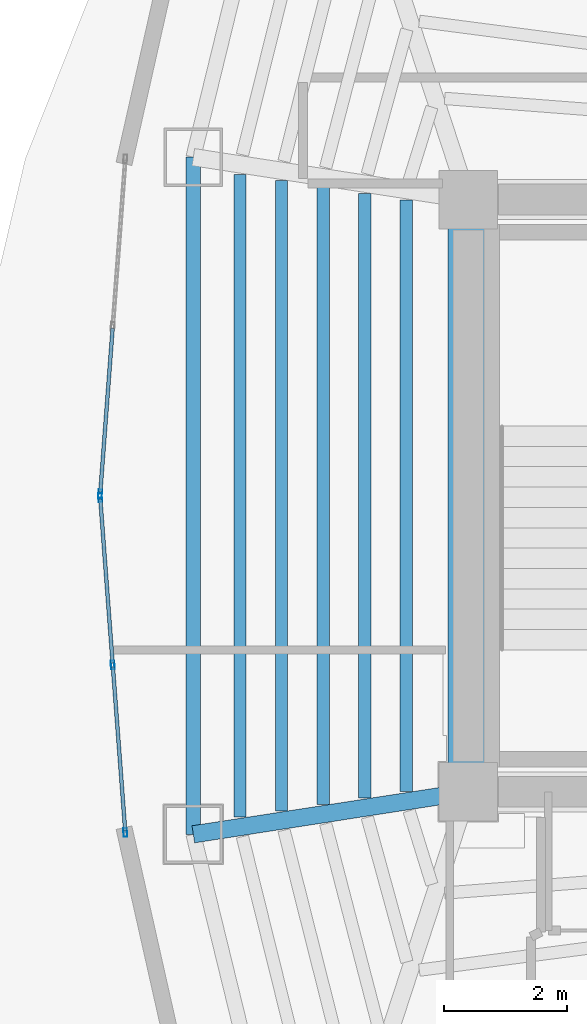
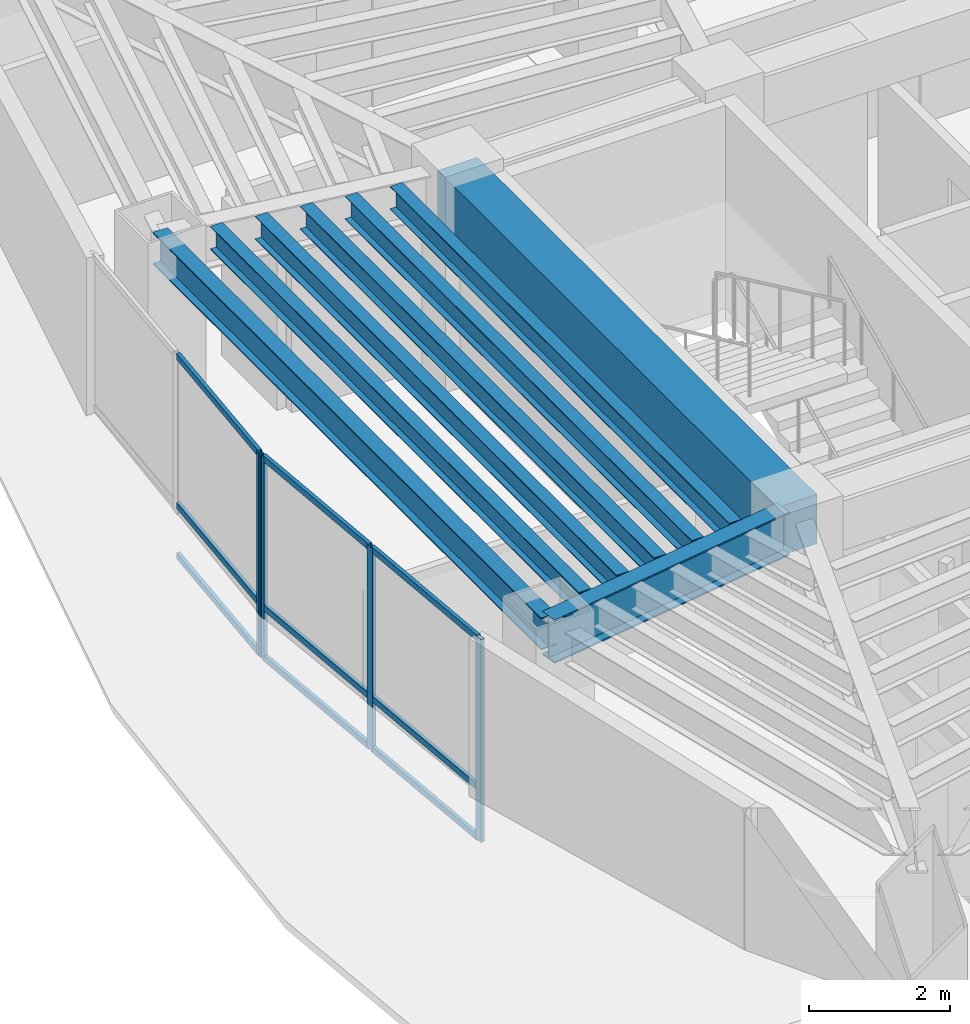
# One storey, part 3 of 15: 13 members, 8 beams, 2 elements without a shape of their own.
"""IFC4 building model written with IfcOpenShell, lengths in metres."""

from ifc_helpers import new_model, si_unit, direction, frame, origin, origin_2d, place, context, subcontext, project, spatial, rectangle, hollow_rectangle, i_section, extrude, material, layer, layer_set, material_profile, profile_set, type_object, element, aggregate, save


model = new_model("IFC4")

# Units and contexts
model_context = context("Model", 3, precision=1e-05, world=origin(), true_north=direction((0.0, 1.0)))
body_context = subcontext(model_context, "Body", "Model", "MODEL_VIEW")
ifc_project = project(units=[si_unit("LENGTHUNIT", "METRE"), si_unit("AREAUNIT", "SQUARE_METRE"), si_unit("VOLUMEUNIT", "CUBIC_METRE"), si_unit("PLANEANGLEUNIT", "RADIAN"), si_unit("MASSUNIT", "GRAM", prefix="KILO")], contexts=[model_context])

# Site, building, storey
site_placement = place(None, origin())
site = spatial("IfcSite", under=ifc_project, at=site_placement, CompositionType="ELEMENT")
building_placement = place(site_placement, origin())
building = spatial("IfcBuilding", under=site, at=building_placement, Name="Menara Vayukalpa", CompositionType="ELEMENT")
storey_placement = place(building_placement, frame((0.0, 0.0, 184.080078125)))
storey = spatial("IfcBuildingStorey", under=building, at=storey_placement, Name="L46", CompositionType="ELEMENT", Elevation=184.080078125)

# Beams
ifc_material_1 = material(Name="Concrete C60/75", Category="concrete")
ifc_material_profile_1 = material_profile(ifc_material_1, rectangle(XDim=0.64990234375, YDim=0.85009765625, at=origin_2d()), Name="RC 650x850")
ifc_profile_set_1 = profile_set([ifc_material_profile_1], Name="Concrete C60/75")
beam_type_1 = type_object("IfcBeamType", Name="BM-CB1", PredefinedType="BEAM", material=ifc_profile_set_1)
beam_1_placement = place(storey_placement, frame((17.800048828125, 17.199951171875, 3.074951171875), z_axis=(0.0, 1.0, 0.0), x_axis=(-1.0, 0.0, 0.0)))
element("IfcBeam", 1, at=beam_1_placement, inside=storey, type_object=beam_type_1, Name="L46 Core Tie Beam CBR7", PredefinedType="BEAM", context=body_context, shape_type="SweptSolid", body=[
    extrude(rectangle(XDim=0.64990234375, YDim=0.85009765625, at=origin_2d()), origin(), (0.0, 0.0, 1.0), 9.60009765625),
])
ifc_material_2 = material(Name="Steel S355", Category="steel")
ifc_material_profile_2 = material_profile(ifc_material_2, i_section(OverallWidth=0.280029296875, OverallDepth=0.75, WebThickness=0.013916015625, FlangeThickness=0.02490234375, at=origin_2d()), Name="WF 750x280x14x25")
ifc_profile_set_2 = profile_set([ifc_material_profile_2], Name="Steel S355")
beam_type_2 = type_object("IfcBeamType", Name="BM-PG4", PredefinedType="BEAM", material=ifc_profile_set_2)
beam_2_placement = place(storey_placement, frame((17.552978515625, 17.161865234375, 3.125), z_axis=(-0.988244781219, -0.152879862617, 0.0), x_axis=(0.152879862617, -0.988244781219, 0.0)))
element("IfcBeam", 2, at=beam_2_placement, inside=storey, type_object=beam_type_2, Name="L46 Primary Radial Girder RG06", PredefinedType="BEAM", context=body_context, shape_type="SweptSolid", body=[
    extrude(i_section(OverallWidth=0.280029296875, OverallDepth=0.75, WebThickness=0.013916015625, FlangeThickness=0.02490234375, at=origin_2d()), origin(), (0.0, 0.0, 1.0), 4.259033203125),
])
ifc_material_3 = material(Name="Steel S355", Category="steel")
ifc_material_profile_3 = material_profile(ifc_material_3, i_section(OverallWidth=0.199951171875, OverallDepth=0.39990234375, WebThickness=0.008056640625, FlangeThickness=0.012939453125, at=origin_2d()), Name="WF 400x200x8x13")
ifc_profile_set_3 = profile_set([ifc_material_profile_3], Name="Steel S355")
beam_type_3 = type_object("IfcBeamType", Name="BM-SJ2", PredefinedType="JOIST", material=ifc_profile_set_3)
beam_3_placement = place(storey_placement, frame((16.79541015625, 26.79541015625, 3.2998046875), z_axis=(0.0, -1.0, 0.0), x_axis=(1.0, 0.0, 0.0)))
element("IfcBeam", 3, at=beam_3_placement, inside=storey, type_object=beam_type_3, Name="L46 Secondary Floor Joist SJ05-1", PredefinedType="JOIST", context=body_context, shape_type="SweptSolid", body=[
    extrude(i_section(OverallWidth=0.199951171875, OverallDepth=0.39990234375, WebThickness=0.008056640625, FlangeThickness=0.012939453125, at=origin_2d()), origin(), (0.0, 0.0, 1.0), 9.5908203125),
])
beam_4_placement = place(storey_placement, frame((16.121826171875, 26.8994140625, 3.2998046875), z_axis=(0.0, -1.0, 0.0), x_axis=(1.0, 0.0, 0.0)))
element("IfcBeam", 4, at=beam_4_placement, inside=storey, type_object=beam_type_3, Name="L46 Secondary Floor Joist SJ05-2", PredefinedType="JOIST", context=body_context, shape_type="SweptSolid", body=[
    extrude(i_section(OverallWidth=0.199951171875, OverallDepth=0.39990234375, WebThickness=0.008056640625, FlangeThickness=0.012939453125, at=origin_2d()), origin(), (0.0, 0.0, 1.0), 9.798828125),
])
beam_5_placement = place(storey_placement, frame((15.448486328125, 27.003662109375, 3.2998046875), z_axis=(0.0, -1.0, 0.0), x_axis=(1.0, 0.0, 0.0)))
element("IfcBeam", 5, at=beam_5_placement, inside=storey, type_object=beam_type_3, Name="L46 Secondary Floor Joist SJ05-3", PredefinedType="JOIST", context=body_context, shape_type="SweptSolid", body=[
    extrude(i_section(OverallWidth=0.199951171875, OverallDepth=0.39990234375, WebThickness=0.008056640625, FlangeThickness=0.012939453125, at=origin_2d()), origin(), (0.0, 0.0, 1.0), 10.00732421875),
])
beam_6_placement = place(storey_placement, frame((14.77490234375, 27.10791015625, 3.2998046875), z_axis=(0.0, -1.0, 0.0), x_axis=(1.0, 0.0, 0.0)))
element("IfcBeam", 6, at=beam_6_placement, inside=storey, type_object=beam_type_3, Name="L46 Secondary Floor Joist SJ05-4", PredefinedType="JOIST", context=body_context, shape_type="SweptSolid", body=[
    extrude(i_section(OverallWidth=0.199951171875, OverallDepth=0.39990234375, WebThickness=0.008056640625, FlangeThickness=0.012939453125, at=origin_2d()), origin(), (0.0, 0.0, 1.0), 10.2158203125),
])
beam_7_placement = place(storey_placement, frame((14.1015625, 27.2119140625, 3.2998046875), z_axis=(0.0, -1.0, 0.0), x_axis=(1.0, 0.0, 0.0)))
element("IfcBeam", 7, at=beam_7_placement, inside=storey, type_object=beam_type_3, Name="L46 Secondary Floor Joist SJ05-5", PredefinedType="JOIST", context=body_context, shape_type="SweptSolid", body=[
    extrude(i_section(OverallWidth=0.199951171875, OverallDepth=0.39990234375, WebThickness=0.008056640625, FlangeThickness=0.012939453125, at=origin_2d()), origin(), (0.0, 0.0, 1.0), 10.423828125),
])
ifc_material_4 = material(Name="Steel S355", Category="steel")
ifc_material_profile_4 = material_profile(ifc_material_4, i_section(OverallWidth=0.239990234375, OverallDepth=0.550048828125, WebThickness=0.010986328125, FlangeThickness=0.01904296875, at=origin_2d()), Name="WF 550x240x11x19")
ifc_profile_set_4 = profile_set([ifc_material_profile_4], Name="Steel S355")
beam_type_4 = type_object("IfcBeamType", Name="BM-SP2", PredefinedType="SPANDREL", material=ifc_profile_set_4)
beam_8_placement = place(storey_placement, frame((13.343994140625, 27.4892578125, 3.224853515625), z_axis=(0.0, -1.0, 0.0), x_axis=(1.0, 0.0, 0.0)))
element("IfcBeam", 8, at=beam_8_placement, inside=storey, type_object=beam_type_4, Name="L46 Perimeter Spandrel Beam SP05", PredefinedType="SPANDREL", context=body_context, shape_type="SweptSolid", body=[
    extrude(i_section(OverallWidth=0.239990234375, OverallDepth=0.550048828125, WebThickness=0.010986328125, FlangeThickness=0.01904296875, at=origin_2d()), origin(), (0.0, 0.0, 1.0), 10.978515625),
])

# Curtain wall, member
ifc_material_5 = material(Name="Anodised Terracotta Aluminium Alloy 6063-T6", Category="masonry")
ifc_layer = layer(ifc_material_5, 0.139892578125)
ifc_layer_set = layer_set([ifc_layer], Name="Anodised Terracotta Aluminium Alloy 6063-T6")
curtain_wall_type = type_object("IfcCurtainWallType", Name="CW-CW5", PredefinedType="USERDEFINED", material=ifc_layer_set)
curtain_wall_1_placement = place(storey_placement, origin())
curtain_wall_1 = element("IfcCurtainWall", 9, at=curtain_wall_1_placement, inside=storey, type_object=curtain_wall_type, Name="L46 High Rise Tapered Curtain Wall CW5 10", ObjectType="UNITISED", PredefinedType="USERDEFINED")
ifc_material_6 = material(Name="Anodised Terracotta Aluminium Alloy 6063-T6", Category="masonry")
ifc_material_profile_5 = material_profile(ifc_material_6, hollow_rectangle(XDim=0.06005859375, YDim=0.139892578125, WallThickness=0.00341796875, at=origin_2d()), Name="ALU 60x140x3.5")
ifc_profile_set_5 = profile_set([ifc_material_profile_5], Name="Anodised Terracotta Aluminium Alloy 6063-T6")
member_type_1 = type_object("IfcMemberType", Name="CWM-CW5", PredefinedType="MULLION", material=ifc_profile_set_5)
member_1_placement = place(storey_placement, frame((11.83447265625, 22.030029296875, 0.0), z_axis=(0.0, 0.0, 1.0), x_axis=(0.9971991744, -0.074791754736, 0.0)))
member_1 = element("IfcMember", 10, at=member_1_placement, type_object=member_type_1, Name="CW5 mullion 3", PredefinedType="MULLION", context=body_context, shape_type="SweptSolid", body=[
    extrude(hollow_rectangle(XDim=0.06005859375, YDim=0.139892578125, WallThickness=0.00341796875, at=origin_2d()), origin(), (0.0, 0.0, 1.0), 3.5),
])

# Curtain wall, members
curtain_wall_2_placement = place(storey_placement, origin())
curtain_wall_2 = element("IfcCurtainWall", 11, at=curtain_wall_2_placement, inside=storey, type_object=curtain_wall_type, Name="L46 High Rise Tapered Curtain Wall CW5 11", ObjectType="UNITISED", PredefinedType="USERDEFINED")
member_2_placement = place(storey_placement, frame((11.83447265625, 21.969970703125, 0.0), z_axis=(0.0, 0.0, 1.0), x_axis=(0.9971991744, 0.074791754736, 0.0)))
member_2 = element("IfcMember", 12, at=member_2_placement, type_object=member_type_1, Name="CW5 mullion 1", PredefinedType="MULLION", context=body_context, shape_type="SweptSolid", body=[
    extrude(hollow_rectangle(XDim=0.06005859375, YDim=0.139892578125, WallThickness=0.00341796875, at=origin_2d()), origin(), (0.0, 0.0, 1.0), 3.5),
])
member_3_placement = place(storey_placement, frame((12.0380859375, 19.25537109375, 0.0), z_axis=(0.0, 0.0, 1.0), x_axis=(0.9971991744, 0.074791754736, 0.0)))
member_3 = element("IfcMember", 13, at=member_3_placement, type_object=member_type_1, Name="CW5 mullion 2", PredefinedType="MULLION", context=body_context, shape_type="SweptSolid", body=[
    extrude(hollow_rectangle(XDim=0.06005859375, YDim=0.139892578125, WallThickness=0.00341796875, at=origin_2d()), origin(), (0.0, 0.0, 1.0), 3.5),
])
member_4_placement = place(storey_placement, frame((12.24169921875, 16.540771484375, 0.0), z_axis=(0.0, 0.0, 1.0), x_axis=(0.9971991744, 0.074791754736, 0.0)))
member_4 = element("IfcMember", 14, at=member_4_placement, type_object=member_type_1, Name="CW5 mullion 3", PredefinedType="MULLION", context=body_context, shape_type="SweptSolid", body=[
    extrude(hollow_rectangle(XDim=0.06005859375, YDim=0.139892578125, WallThickness=0.00341796875, at=origin_2d()), origin(), (0.0, 0.0, 1.0), 3.5),
])

# Member
ifc_material_7 = material(Name="Anodised Terracotta Aluminium Alloy 6063-T6", Category="masonry")
ifc_material_profile_6 = material_profile(ifc_material_7, hollow_rectangle(XDim=0.06005859375, YDim=0.10498046875, WallThickness=0.0029296875, at=origin_2d()), Name="ALU 60x105x3")
ifc_profile_set_6 = profile_set([ifc_material_profile_6], Name="Anodised Terracotta Aluminium Alloy 6063-T6")
member_type_2 = type_object("IfcMemberType", Name="CWT-CW5", PredefinedType="USERDEFINED", material=ifc_profile_set_6)
member_5_placement = place(storey_placement, frame((12.035888671875, 24.714599609375, 0.030029296875), z_axis=(-0.074830984436, -0.997196231325, 0.0), x_axis=(0.997196231325, -0.074830984436, 0.0)))
member_5 = element("IfcMember", 15, at=member_5_placement, type_object=member_type_2, Name="CW5 transom 2.1", ObjectType="TRANSOM", PredefinedType="USERDEFINED", context=body_context, shape_type="SweptSolid", body=[
    extrude(hollow_rectangle(XDim=0.06005859375, YDim=0.10498046875, WallThickness=0.0029296875, at=origin_2d()), origin(), (0.0, 0.0, 1.0), 2.662353515625),
])

member_6_placement = place(storey_placement, frame((12.035888671875, 24.714599609375, 0.89990234375), z_axis=(-0.074830984436, -0.997196231325, 0.0), x_axis=(0.997196231325, -0.074830984436, 0.0)))
member_6 = element("IfcMember", 16, at=member_6_placement, type_object=member_type_2, Name="CW5 transom 2.2", ObjectType="TRANSOM", PredefinedType="USERDEFINED", context=body_context, shape_type="SweptSolid", body=[
    extrude(hollow_rectangle(XDim=0.06005859375, YDim=0.10498046875, WallThickness=0.0029296875, at=origin_2d()), origin(), (0.0, 0.0, 1.0), 2.662353515625),
])

member_7_placement = place(storey_placement, frame((12.035888671875, 24.714599609375, 3.469970703125), z_axis=(-0.074830984436, -0.997196231325, 0.0), x_axis=(0.997196231325, -0.074830984436, 0.0)))
member_7 = element("IfcMember", 17, at=member_7_placement, type_object=member_type_2, Name="CW5 transom 2.3", ObjectType="TRANSOM", PredefinedType="USERDEFINED", context=body_context, shape_type="SweptSolid", body=[
    extrude(hollow_rectangle(XDim=0.06005859375, YDim=0.10498046875, WallThickness=0.0029296875, at=origin_2d()), origin(), (0.0, 0.0, 1.0), 2.662353515625),
])

aggregate(curtain_wall_1, [member_1, member_5, member_6, member_7])

member_8_placement = place(storey_placement, frame((11.836669921875, 21.940185546875, 0.030029296875), z_axis=(0.074830984436, -0.997196231325, 0.0), x_axis=(0.997196231325, 0.074830984436, 0.0)))
member_8 = element("IfcMember", 18, at=member_8_placement, type_object=member_type_2, Name="CW5 transom 1.1", ObjectType="TRANSOM", PredefinedType="USERDEFINED", context=body_context, shape_type="SweptSolid", body=[
    extrude(hollow_rectangle(XDim=0.06005859375, YDim=0.10498046875, WallThickness=0.0029296875, at=origin_2d()), origin(), (0.0, 0.0, 1.0), 2.662353515625),
])

member_9_placement = place(storey_placement, frame((11.836669921875, 21.940185546875, 0.89990234375), z_axis=(0.074830984436, -0.997196231325, 0.0), x_axis=(0.997196231325, 0.074830984436, 0.0)))
member_9 = element("IfcMember", 19, at=member_9_placement, type_object=member_type_2, Name="CW5 transom 1.2", ObjectType="TRANSOM", PredefinedType="USERDEFINED", context=body_context, shape_type="SweptSolid", body=[
    extrude(hollow_rectangle(XDim=0.06005859375, YDim=0.10498046875, WallThickness=0.0029296875, at=origin_2d()), origin(), (0.0, 0.0, 1.0), 2.662353515625),
])

member_10_placement = place(storey_placement, frame((11.836669921875, 21.940185546875, 3.469970703125), z_axis=(0.074830984436, -0.997196231325, 0.0), x_axis=(0.997196231325, 0.074830984436, 0.0)))
member_10 = element("IfcMember", 20, at=member_10_placement, type_object=member_type_2, Name="CW5 transom 1.3", ObjectType="TRANSOM", PredefinedType="USERDEFINED", context=body_context, shape_type="SweptSolid", body=[
    extrude(hollow_rectangle(XDim=0.06005859375, YDim=0.10498046875, WallThickness=0.0029296875, at=origin_2d()), origin(), (0.0, 0.0, 1.0), 2.662353515625),
])

member_11_placement = place(storey_placement, frame((12.040283203125, 19.2255859375, 0.030029296875), z_axis=(0.074824141952, -0.997196744771, 0.0), x_axis=(0.997196744771, 0.074824141952, 0.0)))
member_11 = element("IfcMember", 21, at=member_11_placement, type_object=member_type_2, Name="CW5 transom 2.1", ObjectType="TRANSOM", PredefinedType="USERDEFINED", context=body_context, shape_type="SweptSolid", body=[
    extrude(hollow_rectangle(XDim=0.06005859375, YDim=0.10498046875, WallThickness=0.0029296875, at=origin_2d()), origin(), (0.0, 0.0, 1.0), 2.66259765625),
])

member_12_placement = place(storey_placement, frame((12.040283203125, 19.2255859375, 0.89990234375), z_axis=(0.074824141952, -0.997196744771, 0.0), x_axis=(0.997196744771, 0.074824141952, 0.0)))
member_12 = element("IfcMember", 22, at=member_12_placement, type_object=member_type_2, Name="CW5 transom 2.2", ObjectType="TRANSOM", PredefinedType="USERDEFINED", context=body_context, shape_type="SweptSolid", body=[
    extrude(hollow_rectangle(XDim=0.06005859375, YDim=0.10498046875, WallThickness=0.0029296875, at=origin_2d()), origin(), (0.0, 0.0, 1.0), 2.66259765625),
])

member_13_placement = place(storey_placement, frame((12.040283203125, 19.2255859375, 3.469970703125), z_axis=(0.074824141952, -0.997196744771, 0.0), x_axis=(0.997196744771, 0.074824141952, 0.0)))
member_13 = element("IfcMember", 23, at=member_13_placement, type_object=member_type_2, Name="CW5 transom 2.3", ObjectType="TRANSOM", PredefinedType="USERDEFINED", context=body_context, shape_type="SweptSolid", body=[
    extrude(hollow_rectangle(XDim=0.06005859375, YDim=0.10498046875, WallThickness=0.0029296875, at=origin_2d()), origin(), (0.0, 0.0, 1.0), 2.66259765625),
])

aggregate(curtain_wall_2, [member_2, member_3, member_4, member_8, member_9, member_10, member_11, member_12, member_13])

save(model, "model.ifc")
